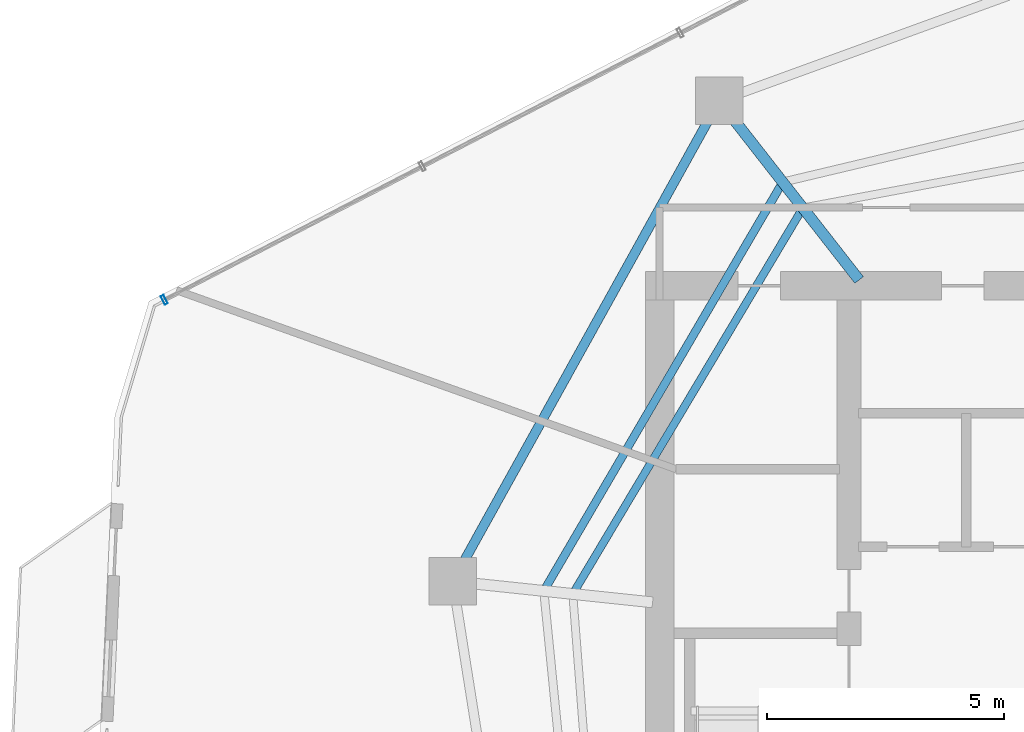
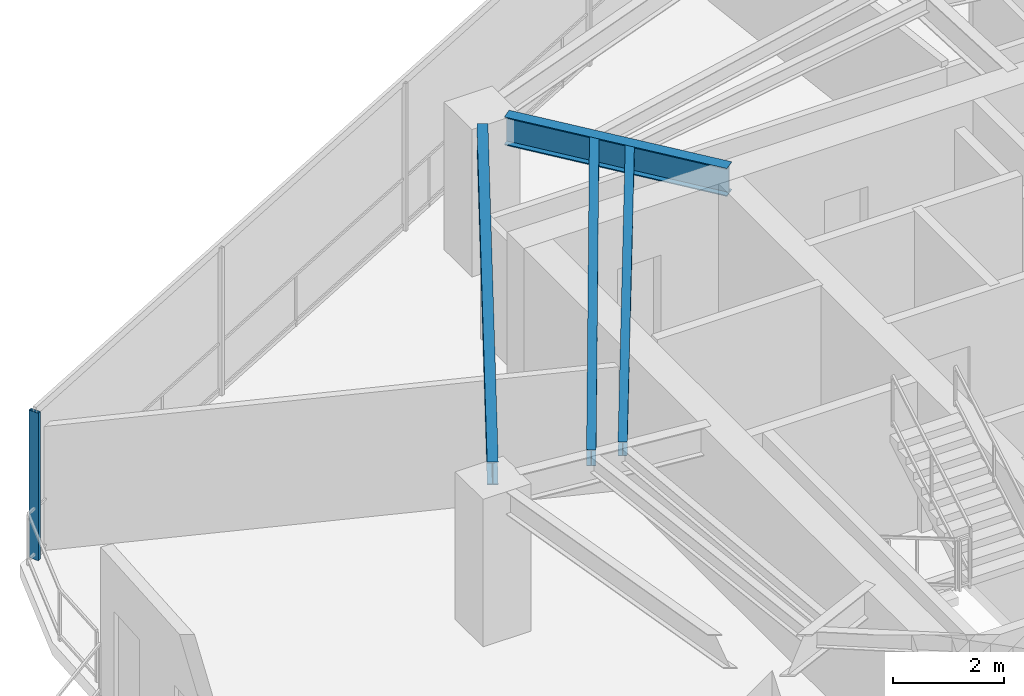
# One storey, part 6 of 20: 4 beams, 1 member, 1 element without a shape of its own.
"""IFC4 building model written with IfcOpenShell, lengths in metres."""

from ifc_helpers import new_model, si_unit, direction, frame, origin, origin_2d, place, context, subcontext, project, spatial, hollow_rectangle, i_section, extrude, material, layer, layer_set, material_profile, profile_set, type_object, element, aggregate, save


model = new_model("IFC4")

# Units and contexts
model_context = context("Model", 3, precision=1e-05, world=origin(), true_north=direction((0.0, 1.0)))
body_context = subcontext(model_context, "Body", "Model", "MODEL_VIEW")
ifc_project = project(units=[si_unit("LENGTHUNIT", "METRE"), si_unit("AREAUNIT", "SQUARE_METRE"), si_unit("VOLUMEUNIT", "CUBIC_METRE"), si_unit("PLANEANGLEUNIT", "RADIAN"), si_unit("MASSUNIT", "GRAM", prefix="KILO")], contexts=[model_context])

# Site, building, storey
site_placement = place(None, origin())
site = spatial("IfcSite", under=ifc_project, at=site_placement, CompositionType="ELEMENT")
building_placement = place(site_placement, origin())
building = spatial("IfcBuilding", under=site, at=building_placement, Name="Qarnah Convention Tower", CompositionType="ELEMENT")
storey_placement = place(building_placement, frame((0.0, 0.0, 168.89990234375)))
storey = spatial("IfcBuildingStorey", under=building, at=storey_placement, Name="L45", CompositionType="ELEMENT", Elevation=168.89990234375)

# Beams
ifc_material_1 = material(Name="Structural steel S355JR", Category="steel")
ifc_material_profile_1 = material_profile(ifc_material_1, i_section(OverallWidth=0.166015625, OverallDepth=0.31201171875, WebThickness=0.007080078125, FlangeThickness=0.010986328125, at=origin_2d()), Name="W310X45")
ifc_profile_set_1 = profile_set([ifc_material_profile_1], Name="Structural steel S355JR")
beam_type_1 = type_object("IfcBeamType", Name="BM-JST-W310", PredefinedType="JOIST", material=ifc_profile_set_1)
beam_1_placement = place(storey_placement, frame((29.779052734375, 35.761962890625, 3.083984375), z_axis=(-0.51201841679, -0.85897447044, 0.0), x_axis=(0.85897447044, -0.51201841679, 0.0)))
element("IfcBeam", 1, at=beam_1_placement, inside=storey, type_object=beam_type_1, Name="L45 joist BM-L45-IJST-04", PredefinedType="JOIST", context=body_context, shape_type="SweptSolid", body=[
    extrude(i_section(OverallWidth=0.166015625, OverallDepth=0.31201171875, WebThickness=0.007080078125, FlangeThickness=0.010986328125, at=origin_2d()), origin(), (0.0, 0.0, 1.0), 9.312255859375),
])
ifc_material_profile_2 = material_profile(ifc_material_1, i_section(OverallWidth=0.172119140625, OverallDepth=0.35595703125, WebThickness=0.007080078125, FlangeThickness=0.011962890625, at=origin_2d()), Name="W360X51")
ifc_profile_set_2 = profile_set([ifc_material_profile_2], Name="Structural steel S355JR")
beam_type_2 = type_object("IfcBeamType", Name="BM-JST-W360", PredefinedType="JOIST", material=ifc_profile_set_2)
beam_2_placement = place(storey_placement, frame((29.35400390625, 36.306884765625, 3.06201171875), z_axis=(-0.50462817984, -0.863336782554, 0.0), x_axis=(0.863336782554, -0.50462817984, 0.0)))
element("IfcBeam", 2, at=beam_2_placement, inside=storey, type_object=beam_type_2, Name="L45 joist BM-L45-SJST-04", PredefinedType="JOIST", context=body_context, shape_type="SweptSolid", body=[
    extrude(i_section(OverallWidth=0.172119140625, OverallDepth=0.35595703125, WebThickness=0.007080078125, FlangeThickness=0.011962890625, at=origin_2d()), origin(), (0.0, 0.0, 1.0), 9.8212890625),
])
ifc_material_profile_3 = material_profile(ifc_material_1, i_section(OverallWidth=0.22998046875, OverallDepth=0.617919921875, WebThickness=0.012939453125, FlangeThickness=0.02197265625, at=origin_2d()), Name="W610X140")
ifc_profile_set_3 = profile_set([ifc_material_profile_3], Name="Structural steel S355JR")
beam_type_3 = type_object("IfcBeamType", Name="BM-RAD-W610A", PredefinedType="BEAM", material=ifc_profile_set_3)
beam_3_placement = place(storey_placement, frame((31.013916015625, 34.318115234375, 2.93115234375), z_axis=(-0.615636368947, 0.788030368215, 0.0), x_axis=(-0.788030368215, -0.615636368947, 0.0)))
element("IfcBeam", 3, at=beam_3_placement, inside=storey, type_object=beam_type_3, Name="L45 beam BM-L45-RAD-04", PredefinedType="BEAM", context=body_context, shape_type="SweptSolid", body=[
    extrude(i_section(OverallWidth=0.22998046875, OverallDepth=0.617919921875, WebThickness=0.012939453125, FlangeThickness=0.02197265625, at=origin_2d()), origin(), (0.0, 0.0, 1.0), 4.322265625),
])
ifc_material_profile_4 = material_profile(ifc_material_1, i_section(OverallWidth=0.199951171875, OverallDepth=0.5, WebThickness=0.010009765625, FlangeThickness=0.01611328125, at=origin_2d()), Name="IPE500")
ifc_profile_set_4 = profile_set([ifc_material_profile_4], Name="Structural steel S355JR")
beam_type_4 = type_object("IfcBeamType", Name="BM-SPN-IPE500", PredefinedType="SPANDREL", material=ifc_profile_set_4)
beam_4_placement = place(storey_placement, frame((27.819091796875, 37.673095703125, 2.989990234375), z_axis=(-0.48477441757, -0.874639219375, 0.0), x_axis=(0.874639219375, -0.48477441757, 0.0)))
element("IfcBeam", 4, at=beam_4_placement, inside=storey, type_object=beam_type_4, Name="L45 spandrel BM-L45-SPN-04", PredefinedType="SPANDREL", context=body_context, shape_type="SweptSolid", body=[
    extrude(i_section(OverallWidth=0.199951171875, OverallDepth=0.5, WebThickness=0.010009765625, FlangeThickness=0.01611328125, at=origin_2d()), origin(), (0.0, 0.0, 1.0), 10.623779296875),
])

# Curtain wall, member
ifc_material_2 = material(Name="Tempered Low-E dark glass", Category="glass")
ifc_layer = layer(ifc_material_2, 0.172119140625)
ifc_layer_set = layer_set([ifc_layer], Name="Tempered Low-E dark glass")
curtain_wall_type = type_object("IfcCurtainWallType", Name="CWS-03", PredefinedType="NOTDEFINED", material=ifc_layer_set)
curtain_wall_placement = place(storey_placement, origin())
curtain_wall = element("IfcCurtainWall", 5, at=curtain_wall_placement, inside=storey, type_object=curtain_wall_type, Name="L45 unitised curtain wall CW-L45-F2", PredefinedType="NOTDEFINED")
ifc_material_3 = material(Name="Black anodised aluminium", Category="aluminium")
ifc_material_profile_5 = material_profile(ifc_material_3, hollow_rectangle(XDim=0.070068359375, YDim=0.199951171875, WallThickness=0.0048828125, at=origin_2d()), Name="MUL-70X200")
ifc_profile_set_5 = profile_set([ifc_material_profile_5], Name="Black anodised aluminium")
member_type = type_object("IfcMemberType", Name="MUL-T3", PredefinedType="MULLION", material=ifc_profile_set_5)
member_placement = place(storey_placement, frame((16.3349609375, 33.89697265625, 0.0), z_axis=(0.0, 0.0, 1.0), x_axis=(0.888134603935, 0.459583425826, 0.0)))
member = element("IfcMember", 6, at=member_placement, type_object=member_type, Name="CW-L45-F2 mullion 1", PredefinedType="MULLION", context=body_context, shape_type="SweptSolid", body=[
    extrude(hollow_rectangle(XDim=0.070068359375, YDim=0.199951171875, WallThickness=0.0048828125, at=origin_2d()), origin(), (0.0, 0.0, 1.0), 3.239990234375),
])
aggregate(curtain_wall, [member])

save(model, "model.ifc")
